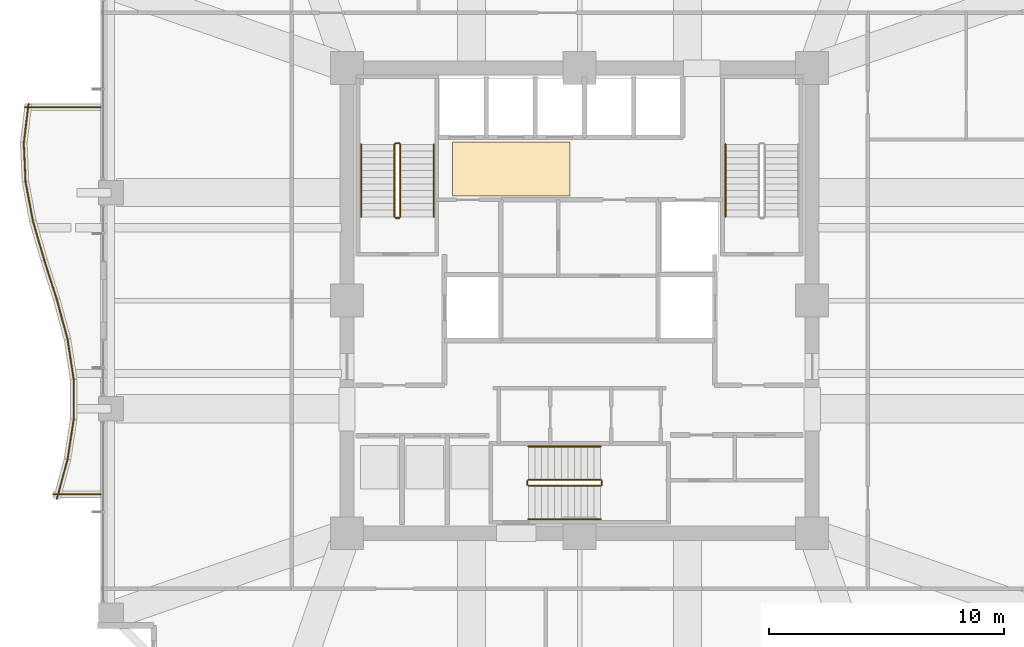
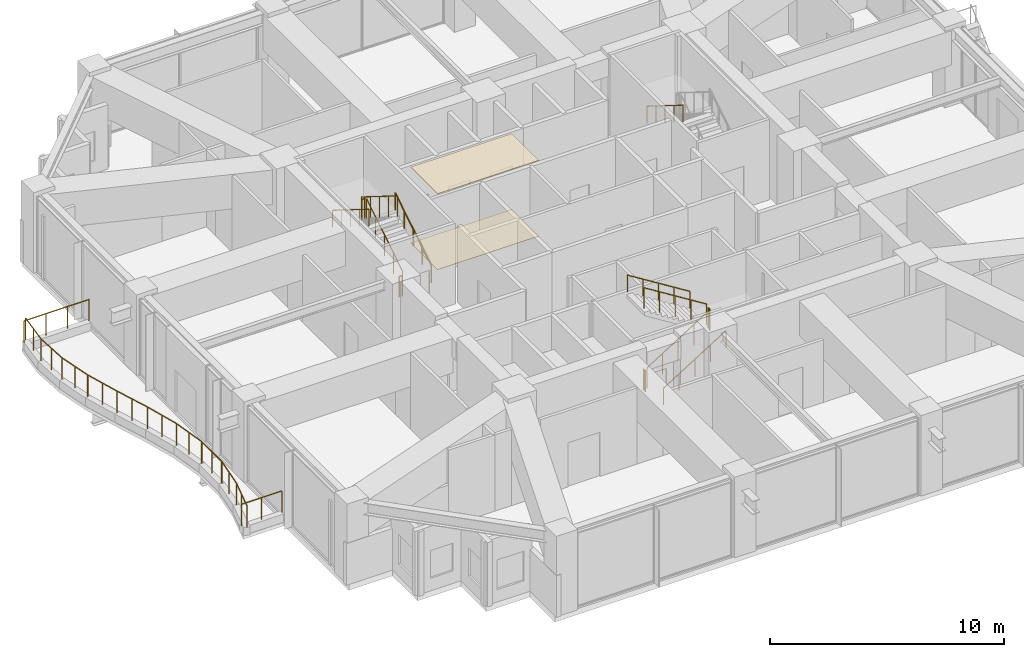
# One storey, part 38 of 40: 25 railings, 2 coverings.
"""IFC4 building model written with IfcOpenShell, lengths in metres."""

from ifc_helpers import new_model, si_unit, direction, frame, origin, origin_2d, place, context, subcontext, project, spatial, polyline, circle, outline, extrude, material, layer, layer_set, type_object, element, save


model = new_model("IFC4")

# Units and contexts
model_context = context("Model", 3, precision=1e-05, world=origin(), true_north=direction((0.0, 1.0)))
body_context = subcontext(model_context, "Body", "Model", "MODEL_VIEW")
ifc_project = project(units=[si_unit("LENGTHUNIT", "METRE"), si_unit("AREAUNIT", "SQUARE_METRE"), si_unit("VOLUMEUNIT", "CUBIC_METRE"), si_unit("PLANEANGLEUNIT", "RADIAN"), si_unit("MASSUNIT", "GRAM", prefix="KILO")], contexts=[model_context])

# Site, building, storey
site_placement = place(None, origin())
site = spatial("IfcSite", under=ifc_project, at=site_placement, CompositionType="ELEMENT")
building_placement = place(site_placement, origin())
building = spatial("IfcBuilding", under=site, at=building_placement, Name="Kolvaren Belvedere", CompositionType="ELEMENT")
storey_placement = place(building_placement, frame((0.0, 0.0, 68.0)))
storey = spatial("IfcBuildingStorey", under=building, at=storey_placement, Name="L19", CompositionType="ELEMENT", Elevation=68.0)

# Coverings
ifc_material_1 = material(Name="Acoustic perforated gypsum board", Category="gypsum")
ifc_layer_1 = layer(ifc_material_1, 0.02490234375)
ifc_layer_set_1 = layer_set([ifc_layer_1], Name="Acoustic perforated gypsum board")
covering_type_1 = type_object("IfcCoveringType", Name="COV-CEIL-GYP", PredefinedType="CEILING", material=ifc_layer_set_1)
covering_1_placement = place(storey_placement, frame((0.0, 0.0, 3.955078125)))
element("IfcCovering", 1, at=covering_1_placement, inside=storey, type_object=covering_type_1, Name="L19 Lift Lobby Acoustic Baffle Ceiling", PredefinedType="CEILING", context=body_context, shape_type="SweptSolid", body=[
    extrude(outline(polyline([(-5.39990234375, 4.449951171875), (-0.39990234375, 4.449951171875), (-0.39990234375, 6.75), (-5.39990234375, 6.75), (-5.39990234375, 4.449951171875)])), origin(), (0.0, 0.0, 1.0), 0.02490234375),
])
ifc_material_2 = material(Name="Honed Cascade basalt stone", Category="masonry")
ifc_layer_2 = layer(ifc_material_2, 0.02490234375)
ifc_layer_set_2 = layer_set([ifc_layer_2], Name="Honed Cascade basalt stone")
covering_type_2 = type_object("IfcCoveringType", Name="COV-FLR-STONE", PredefinedType="FLOORING", material=ifc_layer_set_2)
covering_2_placement = place(storey_placement, origin())
element("IfcCovering", 2, at=covering_2_placement, inside=storey, type_object=covering_type_2, Name="L19 Lift Lobby Finish Flooring", PredefinedType="FLOORING", context=body_context, shape_type="SweptSolid", body=[
    extrude(outline(polyline([(-5.39990234375, 4.449951171875), (-0.39990234375, 4.449951171875), (-0.39990234375, 6.75), (-5.39990234375, 6.75), (-5.39990234375, 4.449951171875)])), origin(), (0.0, 0.0, 1.0), 0.02490234375),
])

# Railings
ifc_material_3 = material(Name="Anodised pale-metal aluminium & laminated glass guard", Category="aluminium")
railing_type_1 = type_object("IfcRailingType", Name="RL-GUARD-1150", PredefinedType="GUARDRAIL", material=ifc_material_3)
railing_1_placement = place(storey_placement, frame((-23.454833984375, 8.380615234375, 0.300048828125)))
element("IfcRailing", 3, at=railing_1_placement, inside=storey, type_object=railing_type_1, Name="L19 Exterior Deck Safety Guard BAL-W-1", PredefinedType="GUARDRAIL", context=body_context, shape_type="SweptSolid", body=[
    extrude(circle(Radius=0.02392578125, at=origin_2d()), frame((0.0, 0.0, 1.1259765625), z_axis=(-0.121868867697, -0.992546210051, 0.0), x_axis=(0.992546210051, -0.121868867697, 0.0)), (0.0, 0.0, 1.0), 1.69287109375),
    extrude(circle(Radius=0.02099609375, at=origin_2d()), origin(), (0.0, 0.0, 1.0), 1.101806640625),
    extrude(circle(Radius=0.02099609375, at=origin_2d()), frame((-0.10302734375, -0.840087890625, 0.0)), (0.0, 0.0, 1.0), 1.101806640625),
    extrude(circle(Radius=0.02099609375, at=origin_2d()), frame((-0.206298828125, -1.68017578125, 0.0)), (0.0, 0.0, 1.0), 1.101806640625),
])
railing_2_placement = place(storey_placement, frame((-23.66015625, 6.727294921875, 0.300048828125)))
element("IfcRailing", 4, at=railing_2_placement, inside=storey, type_object=railing_type_1, Name="L19 Exterior Deck Safety Guard BAL-W-2", PredefinedType="GUARDRAIL", context=body_context, shape_type="SweptSolid", body=[
    extrude(circle(Radius=0.02392578125, at=origin_2d()), frame((0.0, 0.0, 1.1259765625), z_axis=(0.044999415011, -0.998987013253, 0.0), x_axis=(0.998987013253, 0.044999415011, 0.0)), (0.0, 0.0, 1.0), 1.681884765625),
    extrude(circle(Radius=0.02099609375, at=origin_2d()), origin(), (0.0, 0.0, 1.0), 1.101806640625),
    extrude(circle(Radius=0.02099609375, at=origin_2d()), frame((0.037841796875, -0.840087890625, 0.0)), (0.0, 0.0, 1.0), 1.101806640625),
    extrude(circle(Radius=0.02099609375, at=origin_2d()), frame((0.07568359375, -1.68017578125, 0.0)), (0.0, 0.0, 1.0), 1.101806640625),
])
railing_3_placement = place(storey_placement, frame((-23.5869140625, 5.069580078125, 0.300048828125)))
element("IfcRailing", 5, at=railing_3_placement, inside=storey, type_object=railing_type_1, Name="L19 Exterior Deck Safety Guard BAL-W-3", PredefinedType="GUARDRAIL", context=body_context, shape_type="SweptSolid", body=[
    extrude(circle(Radius=0.02392578125, at=origin_2d()), frame((0.0, 0.0, 1.1259765625), z_axis=(0.18467658162, -0.982799348901, 0.0), x_axis=(0.982799348901, 0.18467658162, 0.0)), (0.0, 0.0, 1.0), 1.709228515625),
    extrude(circle(Radius=0.02099609375, at=origin_2d()), origin(), (0.0, 0.0, 1.0), 1.101806640625),
    extrude(circle(Radius=0.02099609375, at=origin_2d()), frame((0.15771484375, -0.83984375, 0.0)), (0.0, 0.0, 1.0), 1.101806640625),
    extrude(circle(Radius=0.02099609375, at=origin_2d()), frame((0.315673828125, -1.679931640625, 0.0)), (0.0, 0.0, 1.0), 1.101806640625),
])
railing_4_placement = place(storey_placement, frame((-23.274658203125, 3.404541015625, 0.300048828125)))
element("IfcRailing", 6, at=railing_4_placement, inside=storey, type_object=railing_type_1, Name="L19 Exterior Deck Safety Guard BAL-W-4", PredefinedType="GUARDRAIL", context=body_context, shape_type="SweptSolid", body=[
    extrude(circle(Radius=0.02392578125, at=origin_2d()), frame((0.0, 0.0, 1.1259765625), z_axis=(0.277817391164, -0.960633903819, 0.0), x_axis=(0.960633903819, 0.277817391164, 0.0)), (0.0, 0.0, 1.0), 1.748779296875),
    extrude(circle(Radius=0.02099609375, at=origin_2d()), origin(), (0.0, 0.0, 1.0), 1.101806640625),
    extrude(circle(Radius=0.02099609375, at=origin_2d()), frame((0.242919921875, -0.83984375, 0.0)), (0.0, 0.0, 1.0), 1.101806640625),
    extrude(circle(Radius=0.02099609375, at=origin_2d()), frame((0.48583984375, -1.679931640625, 0.0)), (0.0, 0.0, 1.0), 1.101806640625),
])
railing_5_placement = place(storey_placement, frame((-22.7900390625, 1.728515625, 0.300048828125)))
element("IfcRailing", 7, at=railing_5_placement, inside=storey, type_object=railing_type_1, Name="L19 Exterior Deck Safety Guard BAL-W-5", PredefinedType="GUARDRAIL", context=body_context, shape_type="SweptSolid", body=[
    extrude(circle(Radius=0.02392578125, at=origin_2d()), frame((0.0, 0.0, 1.1259765625), z_axis=(0.304032153573, -0.952661770826, 0.0), x_axis=(0.952661770826, 0.304032153573, 0.0)), (0.0, 0.0, 1.0), 1.763427734375),
    extrude(circle(Radius=0.02099609375, at=origin_2d()), origin(), (0.0, 0.0, 1.0), 1.101806640625),
    extrude(circle(Radius=0.02099609375, at=origin_2d()), frame((0.26806640625, -0.83984375, 0.0)), (0.0, 0.0, 1.0), 1.101806640625),
    extrude(circle(Radius=0.02099609375, at=origin_2d()), frame((0.5361328125, -1.679931640625, 0.0)), (0.0, 0.0, 1.0), 1.101806640625),
])
railing_6_placement = place(storey_placement, frame((-22.251708984375, 0.041748046875, 0.300048828125)))
element("IfcRailing", 8, at=railing_6_placement, inside=storey, type_object=railing_type_1, Name="L19 Exterior Deck Safety Guard BAL-W-6", PredefinedType="GUARDRAIL", context=body_context, shape_type="SweptSolid", body=[
    extrude(circle(Radius=0.02392578125, at=origin_2d()), frame((0.0, 0.0, 1.1259765625), z_axis=(0.260682852326, -0.965424492388, 0.0), x_axis=(0.965424492388, 0.260682852326, 0.0)), (0.0, 0.0, 1.0), 1.739990234375),
    extrude(circle(Radius=0.02099609375, at=origin_2d()), origin(), (0.0, 0.0, 1.0), 1.101806640625),
    extrude(circle(Radius=0.02099609375, at=origin_2d()), frame((0.226806640625, -0.83984375, 0.0)), (0.0, 0.0, 1.0), 1.101806640625),
    extrude(circle(Radius=0.02099609375, at=origin_2d()), frame((0.45361328125, -1.679931640625, 0.0)), (0.0, 0.0, 1.0), 1.101806640625),
])
railing_7_placement = place(storey_placement, frame((-21.794677734375, -1.655517578125, 0.300048828125)))
element("IfcRailing", 9, at=railing_7_placement, inside=storey, type_object=railing_type_1, Name="L19 Exterior Deck Safety Guard BAL-W-7", PredefinedType="GUARDRAIL", context=body_context, shape_type="SweptSolid", body=[
    extrude(circle(Radius=0.02392578125, at=origin_2d()), frame((0.0, 0.0, 1.1259765625), z_axis=(0.152229849666, -0.988345118302, 0.0), x_axis=(0.988345118302, 0.152229849666, 0.0)), (0.0, 0.0, 1.0), 1.699951171875),
    extrude(circle(Radius=0.02099609375, at=origin_2d()), origin(), (0.0, 0.0, 1.0), 1.101806640625),
    extrude(circle(Radius=0.02099609375, at=origin_2d()), frame((0.12939453125, -0.840087890625, 0.0)), (0.0, 0.0, 1.0), 1.101806640625),
    extrude(circle(Radius=0.02099609375, at=origin_2d()), frame((0.2587890625, -1.68017578125, 0.0)), (0.0, 0.0, 1.0), 1.101806640625),
])
railing_8_placement = place(storey_placement, frame((-21.533935546875, -3.360107421875, 0.300048828125)))
element("IfcRailing", 10, at=railing_8_placement, inside=storey, type_object=railing_type_1, Name="L19 Exterior Deck Safety Guard BAL-W-8", PredefinedType="GUARDRAIL", context=body_context, shape_type="SweptSolid", body=[
    extrude(circle(Radius=0.02392578125, at=origin_2d()), frame((0.0, 0.0, 1.1259765625), z_axis=(0.0, -1.0, 0.0), x_axis=(1.0, 0.0, 0.0)), (0.0, 0.0, 1.0), 1.679931640625),
    extrude(circle(Radius=0.02099609375, at=origin_2d()), origin(), (0.0, 0.0, 1.0), 1.101806640625),
    extrude(circle(Radius=0.02099609375, at=origin_2d()), frame((0.0, -0.83984375, 0.0)), (0.0, 0.0, 1.0), 1.101806640625),
    extrude(circle(Radius=0.02099609375, at=origin_2d()), frame((0.0, -1.679931640625, 0.0)), (0.0, 0.0, 1.0), 1.101806640625),
])
railing_9_placement = place(storey_placement, frame((-21.535888671875, -5.064453125, 0.300048828125)))
element("IfcRailing", 11, at=railing_9_placement, inside=storey, type_object=railing_type_1, Name="L19 Exterior Deck Safety Guard BAL-W-9", PredefinedType="GUARDRAIL", context=body_context, shape_type="SweptSolid", body=[
    extrude(circle(Radius=0.02392578125, at=origin_2d()), frame((0.0, 0.0, 1.1259765625), z_axis=(-0.152251460091, -0.988341789514, 0.0), x_axis=(0.988341789514, -0.152251460091, 0.0)), (0.0, 0.0, 1.0), 1.69970703125),
    extrude(circle(Radius=0.02099609375, at=origin_2d()), origin(), (0.0, 0.0, 1.0), 1.101806640625),
    extrude(circle(Radius=0.02099609375, at=origin_2d()), frame((-0.12939453125, -0.83984375, 0.0)), (0.0, 0.0, 1.0), 1.101806640625),
    extrude(circle(Radius=0.02099609375, at=origin_2d()), frame((-0.2587890625, -1.679931640625, 0.0)), (0.0, 0.0, 1.0), 1.101806640625),
])
railing_10_placement = place(storey_placement, frame((-21.798095703125, -6.76171875, 0.300048828125)))
element("IfcRailing", 12, at=railing_10_placement, inside=storey, type_object=railing_type_1, Name="L19 Exterior Deck Safety Guard BAL-W-10", PredefinedType="GUARDRAIL", context=body_context, shape_type="SweptSolid", body=[
    extrude(circle(Radius=0.02392578125, at=origin_2d()), frame((0.0, 0.0, 1.1259765625), z_axis=(-0.260682852326, -0.965424492388, 0.0), x_axis=(0.965424492388, -0.260682852326, 0.0)), (0.0, 0.0, 1.0), 1.739990234375),
    extrude(circle(Radius=0.02099609375, at=origin_2d()), origin(), (0.0, 0.0, 1.0), 1.101806640625),
    extrude(circle(Radius=0.02099609375, at=origin_2d()), frame((-0.226806640625, -0.83984375, 0.0)), (0.0, 0.0, 1.0), 1.101806640625),
    extrude(circle(Radius=0.02099609375, at=origin_2d()), frame((-0.45361328125, -1.679931640625, 0.0)), (0.0, 0.0, 1.0), 1.101806640625),
])
railing_11_placement = place(storey_placement, frame((-22.40625, -8.239990234375, 0.300048828125)))
element("IfcRailing", 13, at=railing_11_placement, inside=storey, type_object=railing_type_1, Name="L19 Exterior Deck Safety Guard BAL-W-11", PredefinedType="GUARDRAIL", context=body_context, shape_type="SweptSolid", body=[
    extrude(circle(Radius=0.02392578125, at=origin_2d()), frame((0.0, 0.0, 1.1259765625), z_axis=(1.0, 0.0, 0.0), x_axis=(0.0, 1.0, 0.0)), (0.0, 0.0, 1.0), 2.00634765625),
    extrude(circle(Radius=0.02099609375, at=origin_2d()), origin(), (0.0, 0.0, 1.0), 1.101806640625),
    extrude(circle(Radius=0.02099609375, at=origin_2d()), frame((1.003173828125, 0.0, 0.0)), (0.0, 0.0, 1.0), 1.101806640625),
    extrude(circle(Radius=0.02099609375, at=origin_2d()), frame((2.00634765625, 0.0, 0.0)), (0.0, 0.0, 1.0), 1.101806640625),
])
railing_12_placement = place(storey_placement, frame((-20.39990234375, 8.239990234375, 0.300048828125)))
element("IfcRailing", 14, at=railing_12_placement, inside=storey, type_object=railing_type_1, Name="L19 Exterior Deck Safety Guard BAL-W-22", PredefinedType="GUARDRAIL", context=body_context, shape_type="SweptSolid", body=[
    extrude(circle(Radius=0.02392578125, at=origin_2d()), frame((0.0, 0.0, 1.1259765625), z_axis=(-1.0, 0.0, 0.0), x_axis=(0.0, -1.0, 0.0)), (0.0, 0.0, 1.0), 3.2138671875),
    extrude(circle(Radius=0.02099609375, at=origin_2d()), origin(), (0.0, 0.0, 1.0), 1.101806640625),
    extrude(circle(Radius=0.02099609375, at=origin_2d()), frame((-1.0712890625, 0.0, 0.0)), (0.0, 0.0, 1.0), 1.101806640625),
    extrude(circle(Radius=0.02099609375, at=origin_2d()), frame((-2.142578125, 0.0, 0.0)), (0.0, 0.0, 1.0), 1.101806640625),
    extrude(circle(Radius=0.02099609375, at=origin_2d()), frame((-3.2138671875, 0.0, 0.0)), (0.0, 0.0, 1.0), 1.101806640625),
])
ifc_material_4 = material(Name="Brushed stainless-steel handrail", Category="steel")
railing_type_2 = type_object("IfcRailingType", Name="RL-HANDRAIL-920", PredefinedType="HANDRAIL", material=ifc_material_4)
railing_13_placement = place(storey_placement, frame((-6.2099609375, 3.570068359375, 0.175048828125)))
element("IfcRailing", 15, at=railing_13_placement, inside=storey, type_object=railing_type_2, Name="L19 ST-1 stair handrail 1", PredefinedType="HANDRAIL", context=body_context, shape_type="SweptSolid", body=[
    extrude(circle(Radius=0.02392578125, at=origin_2d()), frame((0.0, 0.0, 0.8759765625), z_axis=(0.0, 0.847979421464, 0.530029150871), x_axis=(-1.0, 0.0, 0.0)), (0.0, 0.0, 1.0), 3.632080078125),
    extrude(circle(Radius=0.02099609375, at=origin_2d()), origin(), (0.0, 0.0, 1.0), 0.851806640625),
    extrude(circle(Radius=0.02099609375, at=origin_2d()), frame((0.0, 0.77001953125, 0.481201171875)), (0.0, 0.0, 1.0), 0.851806640625),
    extrude(circle(Radius=0.02099609375, at=origin_2d()), frame((0.0, 1.5400390625, 0.96240234375)), (0.0, 0.0, 1.0), 0.851806640625),
    extrude(circle(Radius=0.02099609375, at=origin_2d()), frame((0.0, 2.309814453125, 1.44384765625)), (0.0, 0.0, 1.0), 0.851806640625),
    extrude(circle(Radius=0.02099609375, at=origin_2d()), frame((0.0, 3.079833984375, 1.925048828125)), (0.0, 0.0, 1.0), 0.851806640625),
])
for number, where, name in (
    (16, (-9.300048828125, 6.64990234375, 2.27490234375), "L19 ST-1 stair handrail 2"),
    (17, (6.2099609375, 6.64990234375, 2.27490234375), "L19 ST-2 stair handrail 2"),
):
    element("IfcRailing", number, at=place(storey_placement, frame(where)), inside=storey, type_object=railing_type_2, Name=name, PredefinedType="HANDRAIL", context=body_context, shape_type="SweptSolid", body=[
        extrude(circle(Radius=0.02392578125, at=origin_2d()), frame((0.0, 0.0, 0.8759765625), z_axis=(0.0, -0.847979421464, 0.530029150871), x_axis=(1.0, 0.0, 0.0)), (0.0, 0.0, 1.0), 3.632080078125),
        extrude(circle(Radius=0.02099609375, at=origin_2d()), origin(), (0.0, 0.0, 1.0), 0.851806640625),
        extrude(circle(Radius=0.02099609375, at=origin_2d()), frame((0.0, -0.77001953125, 0.481201171875)), (0.0, 0.0, 1.0), 0.851806640625),
        extrude(circle(Radius=0.02099609375, at=origin_2d()), frame((0.0, -1.5400390625, 0.96240234375)), (0.0, 0.0, 1.0), 0.851806640625),
        extrude(circle(Radius=0.02099609375, at=origin_2d()), frame((0.0, -2.309814453125, 1.44384765625)), (0.0, 0.0, 1.0), 0.851806640625),
        extrude(circle(Radius=0.02099609375, at=origin_2d()), frame((0.0, -3.079833984375, 1.925048828125)), (0.0, 0.0, 1.0), 0.851806640625),
    ])
railing_14_placement = place(storey_placement, frame((-2.179931640625, -9.300048828125, 0.175048828125)))
element("IfcRailing", 18, at=railing_14_placement, inside=storey, type_object=railing_type_2, Name="L19 ST-3 stair handrail 1", PredefinedType="HANDRAIL", context=body_context, shape_type="SweptSolid", body=[
    extrude(circle(Radius=0.02392578125, at=origin_2d()), frame((0.0, 0.0, 0.8759765625), z_axis=(0.847979421464, 0.0, 0.530029150871), x_axis=(0.0, 1.0, 0.0)), (0.0, 0.0, 1.0), 3.632080078125),
    extrude(circle(Radius=0.02099609375, at=origin_2d()), origin(), (0.0, 0.0, 1.0), 0.851806640625),
    extrude(circle(Radius=0.02099609375, at=origin_2d()), frame((0.77001953125, 0.0, 0.481201171875)), (0.0, 0.0, 1.0), 0.851806640625),
    extrude(circle(Radius=0.02099609375, at=origin_2d()), frame((1.5400390625, 0.0, 0.96240234375)), (0.0, 0.0, 1.0), 0.851806640625),
    extrude(circle(Radius=0.02099609375, at=origin_2d()), frame((2.309814453125, 0.0, 1.44384765625)), (0.0, 0.0, 1.0), 0.851806640625),
    extrude(circle(Radius=0.02099609375, at=origin_2d()), frame((3.079833984375, 0.0, 1.925048828125)), (0.0, 0.0, 1.0), 0.851806640625),
])
railing_15_placement = place(storey_placement, frame((0.89990234375, -6.2099609375, 2.27490234375)))
element("IfcRailing", 19, at=railing_15_placement, inside=storey, type_object=railing_type_2, Name="L19 ST-3 stair handrail 2", PredefinedType="HANDRAIL", context=body_context, shape_type="SweptSolid", body=[
    extrude(circle(Radius=0.02392578125, at=origin_2d()), frame((0.0, 0.0, 0.8759765625), z_axis=(-0.847979421464, 0.0, 0.530029150871), x_axis=(0.0, -1.0, 0.0)), (0.0, 0.0, 1.0), 3.632080078125),
    extrude(circle(Radius=0.02099609375, at=origin_2d()), origin(), (0.0, 0.0, 1.0), 0.851806640625),
    extrude(circle(Radius=0.02099609375, at=origin_2d()), frame((-0.77001953125, 0.0, 0.481201171875)), (0.0, 0.0, 1.0), 0.851806640625),
    extrude(circle(Radius=0.02099609375, at=origin_2d()), frame((-1.5400390625, 0.0, 0.96240234375)), (0.0, 0.0, 1.0), 0.851806640625),
    extrude(circle(Radius=0.02099609375, at=origin_2d()), frame((-2.309814453125, 0.0, 1.44384765625)), (0.0, 0.0, 1.0), 0.851806640625),
    extrude(circle(Radius=0.02099609375, at=origin_2d()), frame((-3.079833984375, 0.0, 1.925048828125)), (0.0, 0.0, 1.0), 0.851806640625),
])
ifc_material_5 = material(Name="Painted tubular steel stair guard", Category="steel")
railing_type_3 = type_object("IfcRailingType", Name="RL-STGUARD-1100", PredefinedType="GUARDRAIL", material=ifc_material_5)
railing_16_placement = place(storey_placement, frame((-7.6298828125, 3.570068359375, 0.175048828125)))
element("IfcRailing", 20, at=railing_16_placement, inside=storey, type_object=railing_type_3, Name="L19 ST-1 stair guard 1", PredefinedType="GUARDRAIL", context=body_context, shape_type="SweptSolid", body=[
    extrude(circle(Radius=0.02392578125, at=origin_2d()), frame((0.0, 0.0, 1.076171875), z_axis=(0.0, 0.847979421464, 0.530029150871), x_axis=(-1.0, 0.0, 0.0)), (0.0, 0.0, 1.0), 3.632080078125),
    extrude(circle(Radius=0.02099609375, at=origin_2d()), origin(), (0.0, 0.0, 1.0), 1.052001953125),
    extrude(circle(Radius=0.02099609375, at=origin_2d()), frame((0.0, 0.77001953125, 0.481201171875)), (0.0, 0.0, 1.0), 1.052001953125),
    extrude(circle(Radius=0.02099609375, at=origin_2d()), frame((0.0, 1.5400390625, 0.96240234375)), (0.0, 0.0, 1.0), 1.052001953125),
    extrude(circle(Radius=0.02099609375, at=origin_2d()), frame((0.0, 2.309814453125, 1.44384765625)), (0.0, 0.0, 1.0), 1.052001953125),
    extrude(circle(Radius=0.02099609375, at=origin_2d()), frame((0.0, 3.079833984375, 1.925048828125)), (0.0, 0.0, 1.0), 1.052001953125),
])
railing_17_placement = place(storey_placement, frame((-7.679931640625, 6.699951171875, 2.10009765625)))
element("IfcRailing", 21, at=railing_17_placement, inside=storey, type_object=railing_type_3, Name="L19 ST-1 stair guard 2", PredefinedType="GUARDRAIL", context=body_context, shape_type="SweptSolid", body=[
    extrude(circle(Radius=0.02392578125, at=origin_2d()), frame((0.0, 0.0, 1.076171875), z_axis=(-1.0, 0.0, 0.0), x_axis=(0.0, -1.0, 0.0)), (0.0, 0.0, 1.0), 0.150146484375),
    extrude(circle(Radius=0.02099609375, at=origin_2d()), origin(), (0.0, 0.0, 1.0), 1.052001953125),
    extrude(circle(Radius=0.02099609375, at=origin_2d()), frame((-0.150146484375, 0.0, 0.0)), (0.0, 0.0, 1.0), 1.052001953125),
])
railing_18_placement = place(storey_placement, frame((-7.8798828125, 6.64990234375, 2.27490234375)))
element("IfcRailing", 22, at=railing_18_placement, inside=storey, type_object=railing_type_3, Name="L19 ST-1 stair guard 3", PredefinedType="GUARDRAIL", context=body_context, shape_type="SweptSolid", body=[
    extrude(circle(Radius=0.02392578125, at=origin_2d()), frame((0.0, 0.0, 1.076171875), z_axis=(0.0, -0.847979421464, 0.530029150871), x_axis=(1.0, 0.0, 0.0)), (0.0, 0.0, 1.0), 3.632080078125),
    extrude(circle(Radius=0.02099609375, at=origin_2d()), origin(), (0.0, 0.0, 1.0), 1.052001953125),
    extrude(circle(Radius=0.02099609375, at=origin_2d()), frame((0.0, -0.77001953125, 0.481201171875)), (0.0, 0.0, 1.0), 1.052001953125),
    extrude(circle(Radius=0.02099609375, at=origin_2d()), frame((0.0, -1.5400390625, 0.96240234375)), (0.0, 0.0, 1.0), 1.052001953125),
    extrude(circle(Radius=0.02099609375, at=origin_2d()), frame((0.0, -2.309814453125, 1.44384765625)), (0.0, 0.0, 1.0), 1.052001953125),
    extrude(circle(Radius=0.02099609375, at=origin_2d()), frame((0.0, -3.079833984375, 1.925048828125)), (0.0, 0.0, 1.0), 1.052001953125),
])
railing_19_placement = place(storey_placement, frame((-7.679931640625, 3.52001953125, 0.0)))
element("IfcRailing", 23, at=railing_19_placement, inside=storey, type_object=railing_type_3, Name="L19 ST-1 stair guard 4", PredefinedType="GUARDRAIL", context=body_context, shape_type="SweptSolid", body=[
    extrude(circle(Radius=0.02392578125, at=origin_2d()), frame((0.0, 0.0, 1.076171875), z_axis=(-1.0, 0.0, 0.0), x_axis=(0.0, -1.0, 0.0)), (0.0, 0.0, 1.0), 0.150146484375),
    extrude(circle(Radius=0.02099609375, at=origin_2d()), origin(), (0.0, 0.0, 1.0), 1.052001953125),
    extrude(circle(Radius=0.02099609375, at=origin_2d()), frame((-0.150146484375, 0.0, 0.0)), (0.0, 0.0, 1.0), 1.052001953125),
])
railing_20_placement = place(storey_placement, frame((-2.179931640625, -7.8798828125, 0.175048828125)))
element("IfcRailing", 24, at=railing_20_placement, inside=storey, type_object=railing_type_3, Name="L19 ST-3 stair guard 1", PredefinedType="GUARDRAIL", context=body_context, shape_type="SweptSolid", body=[
    extrude(circle(Radius=0.02392578125, at=origin_2d()), frame((0.0, 0.0, 1.076171875), z_axis=(0.847979421464, 0.0, 0.530029150871), x_axis=(0.0, 1.0, 0.0)), (0.0, 0.0, 1.0), 3.632080078125),
    extrude(circle(Radius=0.02099609375, at=origin_2d()), origin(), (0.0, 0.0, 1.0), 1.052001953125),
    extrude(circle(Radius=0.02099609375, at=origin_2d()), frame((0.77001953125, 0.0, 0.481201171875)), (0.0, 0.0, 1.0), 1.052001953125),
    extrude(circle(Radius=0.02099609375, at=origin_2d()), frame((1.5400390625, 0.0, 0.96240234375)), (0.0, 0.0, 1.0), 1.052001953125),
    extrude(circle(Radius=0.02099609375, at=origin_2d()), frame((2.309814453125, 0.0, 1.44384765625)), (0.0, 0.0, 1.0), 1.052001953125),
    extrude(circle(Radius=0.02099609375, at=origin_2d()), frame((3.079833984375, 0.0, 1.925048828125)), (0.0, 0.0, 1.0), 1.052001953125),
])
railing_21_placement = place(storey_placement, frame((0.949951171875, -7.830078125, 2.10009765625)))
element("IfcRailing", 25, at=railing_21_placement, inside=storey, type_object=railing_type_3, Name="L19 ST-3 stair guard 2", PredefinedType="GUARDRAIL", context=body_context, shape_type="SweptSolid", body=[
    extrude(circle(Radius=0.02392578125, at=origin_2d()), frame((0.0, 0.0, 1.076171875), z_axis=(0.0, 1.0, 0.0), x_axis=(-1.0, 0.0, 0.0)), (0.0, 0.0, 1.0), 0.150146484375),
    extrude(circle(Radius=0.02099609375, at=origin_2d()), origin(), (0.0, 0.0, 1.0), 1.052001953125),
    extrude(circle(Radius=0.02099609375, at=origin_2d()), frame((0.0, 0.150146484375, 0.0)), (0.0, 0.0, 1.0), 1.052001953125),
])
railing_22_placement = place(storey_placement, frame((0.89990234375, -7.6298828125, 2.27490234375)))
element("IfcRailing", 26, at=railing_22_placement, inside=storey, type_object=railing_type_3, Name="L19 ST-3 stair guard 3", PredefinedType="GUARDRAIL", context=body_context, shape_type="SweptSolid", body=[
    extrude(circle(Radius=0.02392578125, at=origin_2d()), frame((0.0, 0.0, 1.076171875), z_axis=(-0.847979421464, 0.0, 0.530029150871), x_axis=(0.0, -1.0, 0.0)), (0.0, 0.0, 1.0), 3.632080078125),
    extrude(circle(Radius=0.02099609375, at=origin_2d()), origin(), (0.0, 0.0, 1.0), 1.052001953125),
    extrude(circle(Radius=0.02099609375, at=origin_2d()), frame((-0.77001953125, 0.0, 0.481201171875)), (0.0, 0.0, 1.0), 1.052001953125),
    extrude(circle(Radius=0.02099609375, at=origin_2d()), frame((-1.5400390625, 0.0, 0.96240234375)), (0.0, 0.0, 1.0), 1.052001953125),
    extrude(circle(Radius=0.02099609375, at=origin_2d()), frame((-2.309814453125, 0.0, 1.44384765625)), (0.0, 0.0, 1.0), 1.052001953125),
    extrude(circle(Radius=0.02099609375, at=origin_2d()), frame((-3.079833984375, 0.0, 1.925048828125)), (0.0, 0.0, 1.0), 1.052001953125),
])
railing_23_placement = place(storey_placement, frame((-2.22998046875, -7.830078125, 0.0)))
element("IfcRailing", 27, at=railing_23_placement, inside=storey, type_object=railing_type_3, Name="L19 ST-3 stair guard 4", PredefinedType="GUARDRAIL", context=body_context, shape_type="SweptSolid", body=[
    extrude(circle(Radius=0.02392578125, at=origin_2d()), frame((0.0, 0.0, 1.076171875), z_axis=(0.0, 1.0, 0.0), x_axis=(-1.0, 0.0, 0.0)), (0.0, 0.0, 1.0), 0.150146484375),
    extrude(circle(Radius=0.02099609375, at=origin_2d()), origin(), (0.0, 0.0, 1.0), 1.052001953125),
    extrude(circle(Radius=0.02099609375, at=origin_2d()), frame((0.0, 0.150146484375, 0.0)), (0.0, 0.0, 1.0), 1.052001953125),
])

save(model, "model.ifc")
